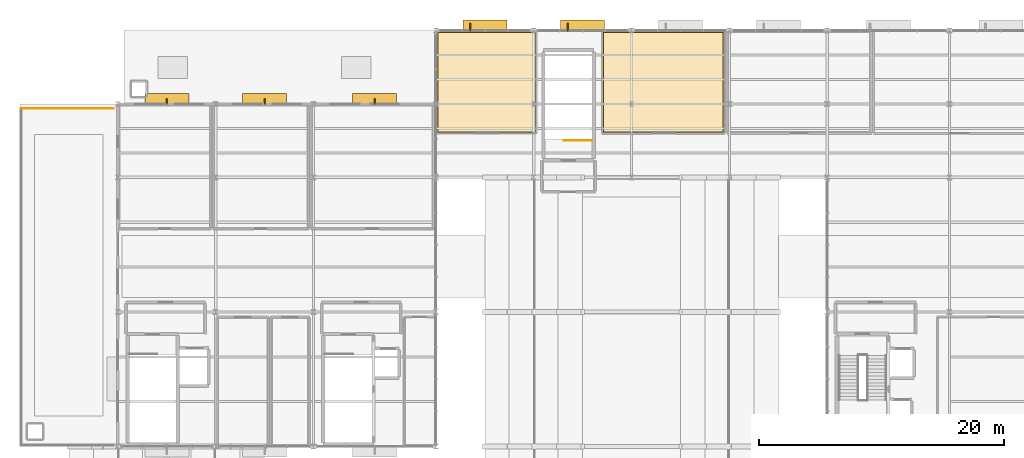
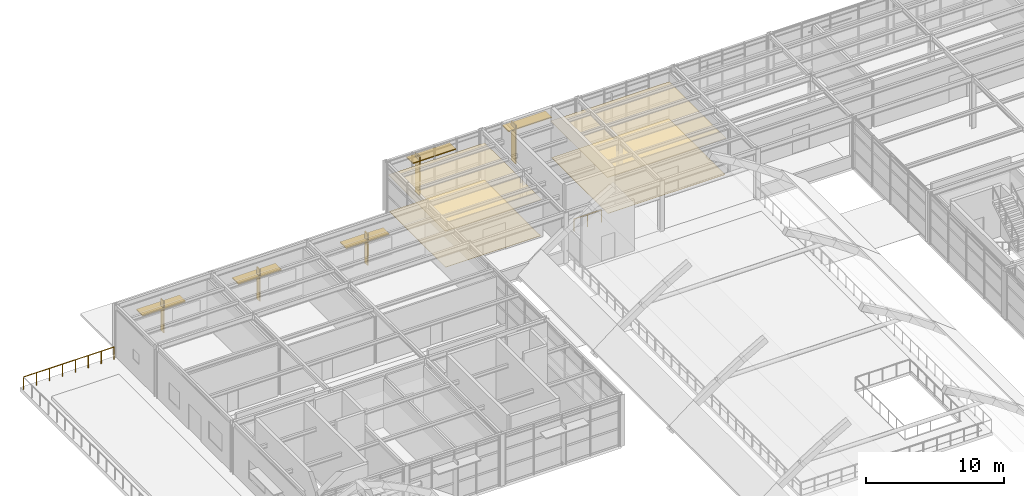
# One storey, part 76 of 82: 10 shading devices, 4 coverings, 2 railings.
"""IFC4 building model written with IfcOpenShell, lengths in metres."""

from ifc_helpers import new_model, si_unit, direction, frame, origin, origin_2d, place, context, subcontext, project, spatial, polyline, rectangle, circle, outline, extrude, material, layer, layer_set, type_object, element, save


model = new_model("IFC4")

# Units and contexts
model_context = context("Model", 3, precision=1e-05, world=origin(), true_north=direction((0.0, 1.0)))
body_context = subcontext(model_context, "Body", "Model", "MODEL_VIEW")
ifc_project = project(units=[si_unit("LENGTHUNIT", "METRE"), si_unit("AREAUNIT", "SQUARE_METRE"), si_unit("VOLUMEUNIT", "CUBIC_METRE"), si_unit("PLANEANGLEUNIT", "RADIAN"), si_unit("MASSUNIT", "GRAM", prefix="KILO")], contexts=[model_context])

# Site, building, storey
site_placement = place(None, origin())
site = spatial("IfcSite", under=ifc_project, at=site_placement, CompositionType="ELEMENT")
building_placement = place(site_placement, origin())
building = spatial("IfcBuilding", under=site, at=building_placement, Name="Sitalva Quay Ferry Terminal", CompositionType="ELEMENT")
storey_placement = place(building_placement, frame((0.0, 0.0, 5.39990234375)))
storey = spatial("IfcBuildingStorey", under=building, at=storey_placement, Name="L02", CompositionType="ELEMENT", Elevation=5.39990234375)

# Coverings
ifc_material_1 = material(Name="Perforated Marine Aluminium Acoustic Ceiling", Category="aluminium")
ifc_layer_1 = layer(ifc_material_1, 0.0400390625)
ifc_layer_set_1 = layer_set([ifc_layer_1], Name="Perforated Marine Aluminium Acoustic Ceiling")
covering_type_1 = type_object("IfcCoveringType", Name="Ceiling_AcousticBaffle_40", PredefinedType="CEILING", material=ifc_layer_set_1)
covering_1_placement = place(storey_placement, frame((0.0, 0.0, 3.210205078125)))
element("IfcCovering", 1, at=covering_1_placement, inside=storey, type_object=covering_type_1, Name="River-View Food Court & Dining Hall ceiling", PredefinedType="CEILING", context=body_context, shape_type="SweptSolid", body=[
    extrude(outline(polyline([(42.1201171875, 103.64990234375), (50.14990234375, 103.64990234375), (50.14990234375, 111.8798828125), (42.1201171875, 111.8798828125), (42.1201171875, 103.64990234375)])), origin(), (0.0, 0.0, 1.0), 0.039794921875),
])
covering_2_placement = place(storey_placement, frame((0.0, 0.0, 3.210205078125)))
element("IfcCovering", 2, at=covering_2_placement, inside=storey, type_object=covering_type_1, Name="Concourse Panorama Dining Room ceiling", PredefinedType="CEILING", context=body_context, shape_type="SweptSolid", body=[
    extrude(outline(polyline([(55.655029296875, 103.655029296875), (65.544921875, 103.655029296875), (65.544921875, 111.8798828125), (55.655029296875, 111.8798828125), (55.655029296875, 103.655029296875)])), origin(), (0.0, 0.0, 1.0), 0.039794921875),
])
ifc_material_2 = material(Name="Polished River-Stone Terrazzo", Category="masonry")
ifc_layer_2 = layer(ifc_material_2, 0.030029296875)
ifc_layer_set_2 = layer_set([ifc_layer_2], Name="Polished River-Stone Terrazzo")
covering_type_2 = type_object("IfcCoveringType", Name="Finish_Terrazzo_30", PredefinedType="FLOORING", material=ifc_layer_set_2)
covering_3_placement = place(storey_placement, origin())
element("IfcCovering", 3, at=covering_3_placement, inside=storey, type_object=covering_type_2, Name="River-View Food Court & Dining Hall floor finish", PredefinedType="FLOORING", context=body_context, shape_type="SweptSolid", body=[
    extrude(outline(polyline([(42.169921875, 103.699951171875), (50.10009765625, 103.699951171875), (50.10009765625, 111.830078125), (42.169921875, 111.830078125), (42.169921875, 103.699951171875)])), origin(), (0.0, 0.0, 1.0), 0.030029296875),
])
covering_4_placement = place(storey_placement, origin())
element("IfcCovering", 4, at=covering_4_placement, inside=storey, type_object=covering_type_2, Name="Concourse Panorama Dining Room floor finish", PredefinedType="FLOORING", context=body_context, shape_type="SweptSolid", body=[
    extrude(outline(polyline([(55.705078125, 103.705078125), (65.4951171875, 103.705078125), (65.4951171875, 111.830078125), (55.705078125, 111.830078125), (55.705078125, 103.705078125)])), origin(), (0.0, 0.0, 1.0), 0.030029296875),
])

# Railings
ifc_material_3 = material(Name="Stainless Steel 316L & Laminated Glass", Category="steel")
railing_type_1 = type_object("IfcRailingType", Name="Railing_Balustrade_1120", PredefinedType="BALUSTRADE", material=ifc_material_3)
railing_1_placement = place(storey_placement, frame((8.10009765625, 105.64990234375, 0.0)))
element("IfcRailing", 5, at=railing_1_placement, inside=storey, type_object=railing_type_1, Name="L02 L02 west terrace balustrade 031", PredefinedType="BALUSTRADE", context=body_context, shape_type="SweptSolid", body=[
    extrude(circle(Radius=0.02392578125, at=origin_2d()), frame((0.0, 0.0, 1.09619140625), z_axis=(1.0, 0.0, 0.0), x_axis=(0.0, 1.0, 0.0)), (0.0, 0.0, 1.0), 7.5498046875),
    extrude(circle(Radius=0.02099609375, at=origin_2d()), origin(), (0.0, 0.0, 1.0), 1.072021484375),
    extrude(circle(Radius=0.02099609375, at=origin_2d()), frame((1.07861328125, 0.0, 0.0)), (0.0, 0.0, 1.0), 1.072021484375),
    extrude(circle(Radius=0.02099609375, at=origin_2d()), frame((2.156982421875, 0.0, 0.0)), (0.0, 0.0, 1.0), 1.072021484375),
    extrude(circle(Radius=0.02099609375, at=origin_2d()), frame((3.235595703125, 0.0, 0.0)), (0.0, 0.0, 1.0), 1.072021484375),
    extrude(circle(Radius=0.02099609375, at=origin_2d()), frame((4.314208984375, 0.0, 0.0)), (0.0, 0.0, 1.0), 1.072021484375),
    extrude(circle(Radius=0.02099609375, at=origin_2d()), frame((5.392822265625, 0.0, 0.0)), (0.0, 0.0, 1.0), 1.072021484375),
    extrude(circle(Radius=0.02099609375, at=origin_2d()), frame((6.47119140625, 0.0, 0.0)), (0.0, 0.0, 1.0), 1.072021484375),
    extrude(circle(Radius=0.02099609375, at=origin_2d()), frame((7.5498046875, 0.0, 0.0)), (0.0, 0.0, 1.0), 1.072021484375),
])
ifc_material_4 = material(Name="Galvanised Steel S275JR", Category="steel")
railing_type_2 = type_object("IfcRailingType", Name="Railing_Guard_1100", PredefinedType="GUARDRAIL", material=ifc_material_4)
railing_2_placement = place(storey_placement, frame((54.780029296875, 103.030029296875, 0.0)))
element("IfcRailing", 6, at=railing_2_placement, inside=storey, type_object=railing_type_2, Name="L02 ST-07 top well guard 1", PredefinedType="GUARDRAIL", context=body_context, shape_type="SweptSolid", body=[
    extrude(circle(Radius=0.02392578125, at=origin_2d()), frame((0.0, 0.0, 1.076171875), z_axis=(-1.0, 0.0, 0.0), x_axis=(0.0, -1.0, 0.0)), (0.0, 0.0, 1.0), 2.300048828125),
    extrude(circle(Radius=0.02099609375, at=origin_2d()), origin(), (0.0, 0.0, 1.0), 1.052001953125),
    extrude(circle(Radius=0.02099609375, at=origin_2d()), frame((-1.14990234375, 0.0, 0.0)), (0.0, 0.0, 1.0), 1.052001953125),
    extrude(circle(Radius=0.02099609375, at=origin_2d()), frame((-2.300048828125, 0.0, 0.0)), (0.0, 0.0, 1.0), 1.052001953125),
])

# Shading devices
ifc_material_5 = material(Name="Anodised Marine Aluminium 6063-T6", Category="aluminium")
shading_device_type_1 = type_object("IfcShadingDeviceType", Name="Shade_HorizontalLouvre_900", PredefinedType="USERDEFINED", material=ifc_material_5)
for number, where, z_axis, x_axis, name in (
    (7, (20.0, 106.419921875, 2.70751953125), (0.0, 0.0, 1.0), (1.0, 0.0, 0.0), "Monsoon sunshade canopy BS-047"),
    (8, (28.0, 106.419921875, 2.70751953125), (0.0, 0.0, 1.0), (1.0, 0.0, 0.0), "Monsoon sunshade canopy BS-049"),
    (9, (37.0, 106.419921875, 2.70751953125), (0.0, 0.0, 1.0), (1.0, 0.0, 0.0), "Monsoon sunshade canopy BS-051"),
    (10, (46.0, 112.419921875, 3.40771484375), (0.0, 0.0, 1.0), (1.0, 0.0, 0.0), "Monsoon sunshade canopy BS-053"),
    (11, (54.0, 112.419921875, 3.40771484375), (0.0, 0.0, 1.0), (1.0, 0.0, 0.0), "Monsoon sunshade canopy BS-055"),
):
    element("IfcShadingDevice", number, at=place(storey_placement, frame(where, z_axis=z_axis, x_axis=x_axis)), inside=storey, type_object=shading_device_type_1, Name=name, ObjectType="SUNSHADE", PredefinedType="USERDEFINED", context=body_context, shape_type="SweptSolid", body=[
        extrude(rectangle(XDim=3.60009765625, YDim=0.89990234375, at=origin_2d()), origin(), (0.0, 0.0, 1.0), 0.0849609375),
    ])
ifc_material_6 = material(Name="Anodised Marine Aluminium 6063-T6", Category="aluminium")
shading_device_type_2 = type_object("IfcShadingDeviceType", Name="Shade_VerticalFin_450", PredefinedType="JALOUSIE", material=ifc_material_6)
for number, where, z_axis, x_axis, name in (
    (12, (20.0, 106.195068359375, 0.60009765625), (0.0, 0.0, 1.0), (1.0, 0.0, 0.0), "Vertical monsoon fin BS-048"),
    (13, (28.0, 106.195068359375, 0.60009765625), (0.0, 0.0, 1.0), (1.0, 0.0, 0.0), "Vertical monsoon fin BS-050"),
    (14, (37.0, 106.195068359375, 0.60009765625), (0.0, 0.0, 1.0), (1.0, 0.0, 0.0), "Vertical monsoon fin BS-052"),
):
    element("IfcShadingDevice", number, at=place(storey_placement, frame(where, z_axis=z_axis, x_axis=x_axis)), inside=storey, type_object=shading_device_type_2, Name=name, PredefinedType="JALOUSIE", context=body_context, shape_type="SweptSolid", body=[
        extrude(rectangle(XDim=0.080078125, YDim=0.449951171875, at=origin_2d()), origin(), (0.0, 0.0, 1.0), 2.800048828125),
    ])
ifc_material_7 = material(Name="Anodised Marine Aluminium 6063-T6", Category="aluminium")
shading_device_type_3 = type_object("IfcShadingDeviceType", Name="Shade_VerticalFin_650", PredefinedType="JALOUSIE", material=ifc_material_7)
for number, where, z_axis, x_axis, name in (
    (15, (44.800048828125, 112.294921875, 0.400146484375), (0.0, 0.0, 1.0), (1.0, 0.0, 0.0), "Vertical monsoon fin BS-054"),
    (16, (52.800048828125, 112.294921875, 0.400146484375), (0.0, 0.0, 1.0), (1.0, 0.0, 0.0), "Vertical monsoon fin BS-056"),
):
    element("IfcShadingDevice", number, at=place(storey_placement, frame(where, z_axis=z_axis, x_axis=x_axis)), inside=storey, type_object=shading_device_type_3, Name=name, PredefinedType="JALOUSIE", context=body_context, shape_type="SweptSolid", body=[
        extrude(rectangle(XDim=0.090087890625, YDim=0.64990234375, at=origin_2d()), origin(), (0.0, 0.0, 1.0), 3.39990234375),
    ])

save(model, "model.ifc")
